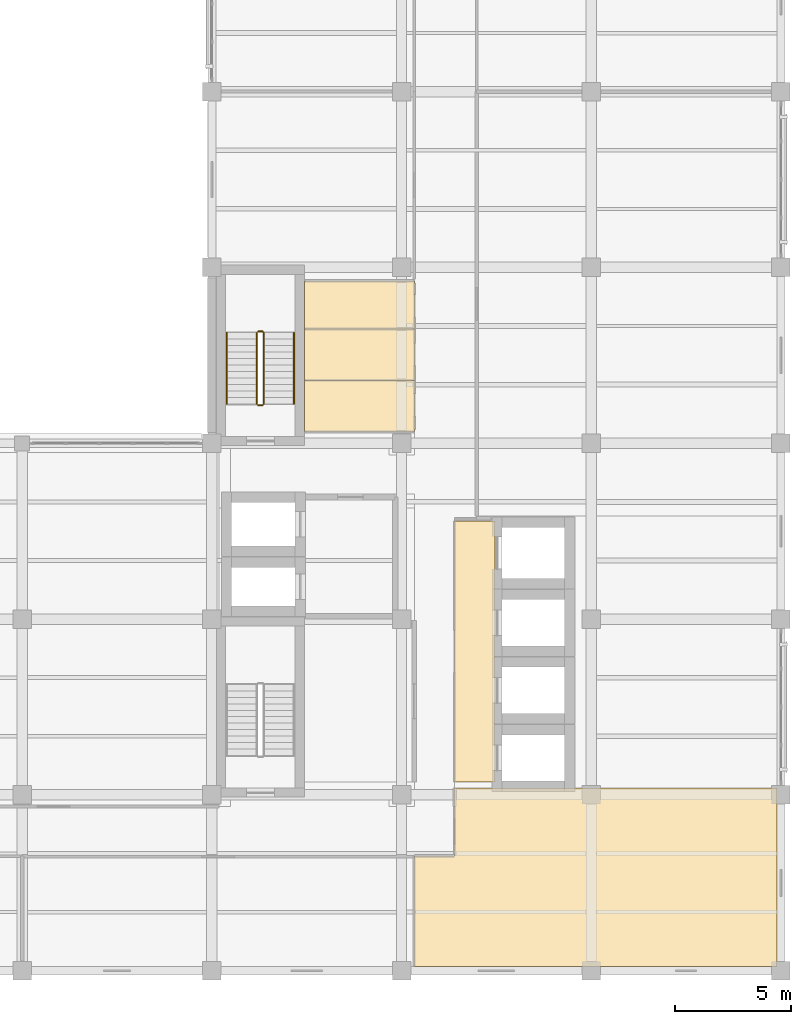
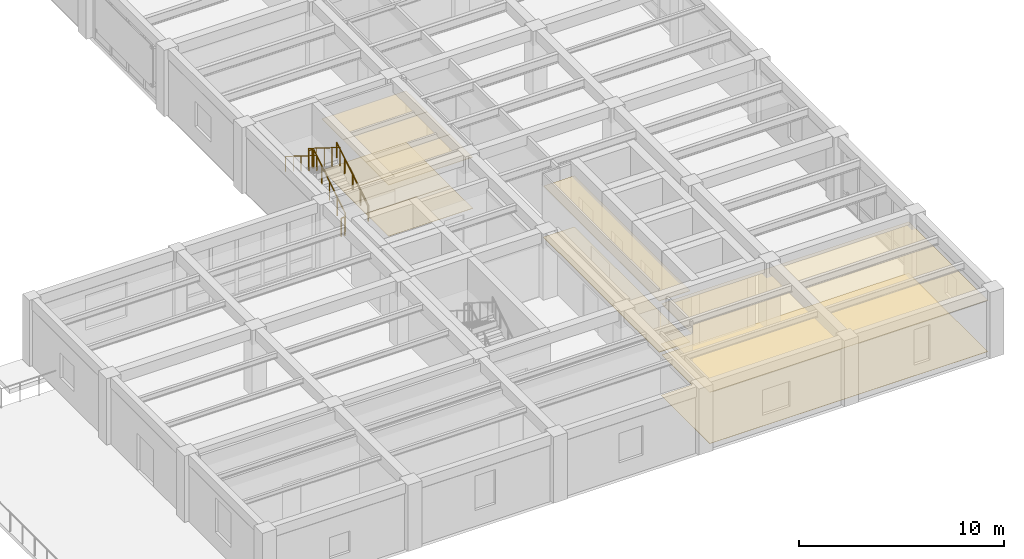
# One storey, part 13 of 14: 10 coverings, 6 railings.
"""IFC4 building model written with IfcOpenShell, lengths in metres."""

from ifc_helpers import new_model, si_unit, direction, frame, origin, origin_2d, place, context, subcontext, project, spatial, polyline, circle, outline, extrude, material, layer, layer_set, type_object, element, save


model = new_model("IFC4")

# Units and contexts
model_context = context("Model", 3, precision=1e-05, world=origin(), true_north=direction((0.0, 1.0)))
body_context = subcontext(model_context, "Body", "Model", "MODEL_VIEW")
ifc_project = project(units=[si_unit("LENGTHUNIT", "METRE"), si_unit("AREAUNIT", "SQUARE_METRE"), si_unit("VOLUMEUNIT", "CUBIC_METRE"), si_unit("PLANEANGLEUNIT", "RADIAN"), si_unit("MASSUNIT", "GRAM", prefix="KILO")], contexts=[model_context])

# Site, building, storey
site_placement = place(None, origin())
site = spatial("IfcSite", under=ifc_project, at=site_placement, CompositionType="ELEMENT")
building_placement = place(site_placement, origin())
building = spatial("IfcBuilding", under=site, at=building_placement, Name="Qandaris Square Conservatory and Botanical Centre", CompositionType="ELEMENT")
storey_placement = place(building_placement, frame((0.0, 0.0, 36.60009765625)))
storey = spatial("IfcBuildingStorey", under=building, at=storey_placement, Name="L08", CompositionType="ELEMENT", Elevation=36.60009765625)

# Coverings
ifc_material_1 = material(Name="Honed Qatari Limestone", Category="masonry")
ifc_layer_1 = layer(ifc_material_1, 0.030029296875)
ifc_layer_set_1 = layer_set([ifc_layer_1], Name="Honed Qatari Limestone")
covering_type_1 = type_object("IfcCoveringType", Name="Honed Qatari Limestone Concourse Paving", PredefinedType="FLOORING", material=ifc_layer_set_1)
covering_1_placement = place(storey_placement, origin())
element("IfcCovering", 1, at=covering_1_placement, inside=storey, type_object=covering_type_1, Name="Passenger Lift Lobby L08 Flooring", PredefinedType="FLOORING", context=body_context, shape_type="SweptSolid", body=[
    extrude(outline(polyline([(149.699951171875, 36.050048828125), (151.449951171875, 36.050048828125), (151.449951171875, 24.75), (149.699951171875, 24.75), (149.699951171875, 36.050048828125)])), origin(), (0.0, 0.0, 1.0), 0.02978515625),
])
ifc_material_2 = material(Name="Gypsum Plasterboard", Category="gypsum")
ifc_layer_2 = layer(ifc_material_2, 0.02490234375)
ifc_layer_set_2 = layer_set([ifc_layer_2], Name="Gypsum Plasterboard")
covering_type_2 = type_object("IfcCoveringType", Name="Perforated Acoustic Lab Ceiling Tile", PredefinedType="CEILING", material=ifc_layer_set_2)
covering_2_placement = place(storey_placement, frame((0.0, 0.0, 3.0498046875)))
element("IfcCovering", 2, at=covering_2_placement, inside=storey, type_object=covering_type_2, Name="Passenger Lift Lobby L08 Ceiling", PredefinedType="CEILING", context=body_context, shape_type="SweptSolid", body=[
    extrude(outline(polyline([(149.699951171875, 36.050048828125), (151.449951171875, 36.050048828125), (151.449951171875, 24.75), (149.699951171875, 24.75), (149.699951171875, 36.050048828125)])), origin(), (0.0, 0.0, 1.0), 0.025146484375),
])
covering_3_placement = place(storey_placement, frame((0.0, 0.0, 3.0498046875)))
element("IfcCovering", 3, at=covering_3_placement, inside=storey, type_object=covering_type_2, Name="Accessible Toilet L08 Ceiling", PredefinedType="CEILING", context=body_context, shape_type="SweptSolid", body=[
    extrude(outline(polyline([(147.949951171875, 42.1201171875), (147.949951171875, 39.89990234375), (143.199951171875, 39.89990234375), (143.199951171875, 42.1201171875), (147.949951171875, 42.1201171875)])), origin(), (0.0, 0.0, 1.0), 0.025146484375),
])
covering_4_placement = place(storey_placement, frame((0.0, 0.0, 3.0498046875)))
element("IfcCovering", 4, at=covering_4_placement, inside=storey, type_object=covering_type_2, Name="Staff Male Toilet L08 Ceiling", PredefinedType="CEILING", context=body_context, shape_type="SweptSolid", body=[
    extrude(outline(polyline([(147.949951171875, 44.340087890625), (147.949951171875, 42.1201171875), (143.199951171875, 42.1201171875), (143.199951171875, 44.340087890625), (147.949951171875, 44.340087890625)])), origin(), (0.0, 0.0, 1.0), 0.025146484375),
])
covering_5_placement = place(storey_placement, frame((0.0, 0.0, 3.0498046875)))
element("IfcCovering", 5, at=covering_5_placement, inside=storey, type_object=covering_type_2, Name="Staff Female Toilet L08 Ceiling", PredefinedType="CEILING", context=body_context, shape_type="SweptSolid", body=[
    extrude(outline(polyline([(147.949951171875, 46.419921875), (147.949951171875, 44.340087890625), (143.199951171875, 44.340087890625), (143.199951171875, 46.419921875), (147.949951171875, 46.419921875)])), origin(), (0.0, 0.0, 1.0), 0.025146484375),
])
covering_6_placement = place(storey_placement, frame((0.0, 0.0, 3.0498046875)))
element("IfcCovering", 6, at=covering_6_placement, inside=storey, type_object=covering_type_2, Name="Floor L08 Instrument and Balance Room Ceiling", PredefinedType="CEILING", context=body_context, shape_type="SweptSolid", body=[
    extrude(outline(polyline([(147.949951171875, 21.550048828125), (149.699951171875, 21.550048828125), (149.699951171875, 23.699951171875), (149.699951171875, 24.5), (163.6201171875, 24.5), (163.6201171875, 16.780029296875), (147.949951171875, 16.780029296875), (147.949951171875, 21.550048828125)])), origin(), (0.0, 0.0, 1.0), 0.025146484375),
])
ifc_material_3 = material(Name="Epoxy Resin Screed", Category="finish")
ifc_layer_3 = layer(ifc_material_3, 0.014892578125)
ifc_layer_set_3 = layer_set([ifc_layer_3], Name="Epoxy Resin Screed")
covering_type_3 = type_object("IfcCoveringType", Name="Seamless Epoxy Laboratory Flooring", PredefinedType="FLOORING", material=ifc_layer_set_3)
covering_7_placement = place(storey_placement, origin())
element("IfcCovering", 7, at=covering_7_placement, inside=storey, type_object=covering_type_3, Name="Accessible Toilet L08 Flooring", PredefinedType="FLOORING", context=body_context, shape_type="SweptSolid", body=[
    extrude(outline(polyline([(147.949951171875, 42.1201171875), (147.949951171875, 39.89990234375), (143.199951171875, 39.89990234375), (143.199951171875, 42.1201171875), (147.949951171875, 42.1201171875)])), origin(), (0.0, 0.0, 1.0), 0.014892578125),
])
covering_8_placement = place(storey_placement, origin())
element("IfcCovering", 8, at=covering_8_placement, inside=storey, type_object=covering_type_3, Name="Staff Male Toilet L08 Flooring", PredefinedType="FLOORING", context=body_context, shape_type="SweptSolid", body=[
    extrude(outline(polyline([(147.949951171875, 44.340087890625), (147.949951171875, 42.1201171875), (143.199951171875, 42.1201171875), (143.199951171875, 44.340087890625), (147.949951171875, 44.340087890625)])), origin(), (0.0, 0.0, 1.0), 0.014892578125),
])
covering_9_placement = place(storey_placement, origin())
element("IfcCovering", 9, at=covering_9_placement, inside=storey, type_object=covering_type_3, Name="Staff Female Toilet L08 Flooring", PredefinedType="FLOORING", context=body_context, shape_type="SweptSolid", body=[
    extrude(outline(polyline([(147.949951171875, 46.419921875), (147.949951171875, 44.340087890625), (143.199951171875, 44.340087890625), (143.199951171875, 46.419921875), (147.949951171875, 46.419921875)])), origin(), (0.0, 0.0, 1.0), 0.014892578125),
])
covering_10_placement = place(storey_placement, origin())
element("IfcCovering", 10, at=covering_10_placement, inside=storey, type_object=covering_type_3, Name="Floor L08 Instrument and Balance Room Flooring", PredefinedType="FLOORING", context=body_context, shape_type="SweptSolid", body=[
    extrude(outline(polyline([(147.949951171875, 21.550048828125), (149.699951171875, 21.550048828125), (149.699951171875, 23.699951171875), (149.699951171875, 24.5), (163.6201171875, 24.5), (163.6201171875, 16.780029296875), (147.949951171875, 16.780029296875), (147.949951171875, 21.550048828125)])), origin(), (0.0, 0.0, 1.0), 0.014892578125),
])

# Railings
ifc_material_4 = material(Name="Stainless Steel", Category="steel")
railing_type_1 = type_object("IfcRailingType", Name="Stair Tubular Handrail 920mm", PredefinedType="HANDRAIL", material=ifc_material_4)
railing_1_placement = place(storey_placement, frame((142.75, 41.10009765625, 0.349853515625)))
element("IfcRailing", 11, at=railing_1_placement, inside=storey, type_object=railing_type_1, Name="L08 ST-2 stair handrail 1", PredefinedType="HANDRAIL", context=body_context, shape_type="SweptSolid", body=[
    extrude(circle(Radius=0.02392578125, at=origin_2d()), frame((0.0, 0.0, 0.89599609375), z_axis=(0.0, 0.847979421464, 0.530029150871), x_axis=(-1.0, 0.0, 0.0)), (0.0, 0.0, 1.0), 3.632080078125),
    extrude(circle(Radius=0.02099609375, at=origin_2d()), origin(), (0.0, 0.0, 1.0), 0.871826171875),
    extrude(circle(Radius=0.02099609375, at=origin_2d()), frame((0.0, 0.77001953125, 0.481201171875)), (0.0, 0.0, 1.0), 0.871826171875),
    extrude(circle(Radius=0.02099609375, at=origin_2d()), frame((0.0, 1.5400390625, 0.96240234375)), (0.0, 0.0, 1.0), 0.871826171875),
    extrude(circle(Radius=0.02099609375, at=origin_2d()), frame((0.0, 2.309814453125, 1.44384765625)), (0.0, 0.0, 1.0), 0.871826171875),
    extrude(circle(Radius=0.02099609375, at=origin_2d()), frame((0.0, 3.079833984375, 1.925048828125)), (0.0, 0.0, 1.0), 0.871826171875),
])
railing_2_placement = place(storey_placement, frame((139.85009765625, 44.179931640625, 2.449951171875)))
element("IfcRailing", 12, at=railing_2_placement, inside=storey, type_object=railing_type_1, Name="L08 ST-2 stair handrail 2", PredefinedType="HANDRAIL", context=body_context, shape_type="SweptSolid", body=[
    extrude(circle(Radius=0.02392578125, at=origin_2d()), frame((0.0, 0.0, 0.89599609375), z_axis=(0.0, -0.847979421464, 0.530029150871), x_axis=(1.0, 0.0, 0.0)), (0.0, 0.0, 1.0), 3.632080078125),
    extrude(circle(Radius=0.02099609375, at=origin_2d()), origin(), (0.0, 0.0, 1.0), 0.871826171875),
    extrude(circle(Radius=0.02099609375, at=origin_2d()), frame((0.0, -0.77001953125, 0.481201171875)), (0.0, 0.0, 1.0), 0.871826171875),
    extrude(circle(Radius=0.02099609375, at=origin_2d()), frame((0.0, -1.5400390625, 0.96240234375)), (0.0, 0.0, 1.0), 0.871826171875),
    extrude(circle(Radius=0.02099609375, at=origin_2d()), frame((0.0, -2.309814453125, 1.44384765625)), (0.0, 0.0, 1.0), 0.871826171875),
    extrude(circle(Radius=0.02099609375, at=origin_2d()), frame((0.0, -3.079833984375, 1.925048828125)), (0.0, 0.0, 1.0), 0.871826171875),
])
railing_type_2 = type_object("IfcRailingType", Name="Stairwell & Atrium Guardrail 1120mm", PredefinedType="GUARDRAIL", material=ifc_material_4)
railing_3_placement = place(storey_placement, frame((141.449951171875, 41.10009765625, 0.1748046875)))
element("IfcRailing", 13, at=railing_3_placement, inside=storey, type_object=railing_type_2, Name="L08 ST-2 stair guard 1", PredefinedType="GUARDRAIL", context=body_context, shape_type="SweptSolid", body=[
    extrude(circle(Radius=0.02392578125, at=origin_2d()), frame((0.0, 0.0, 1.09619140625), z_axis=(0.0, 0.847979421464, 0.530029150871), x_axis=(-1.0, 0.0, 0.0)), (0.0, 0.0, 1.0), 3.632080078125),
    extrude(circle(Radius=0.02099609375, at=origin_2d()), origin(), (0.0, 0.0, 1.0), 1.072021484375),
    extrude(circle(Radius=0.02099609375, at=origin_2d()), frame((0.0, 0.77001953125, 0.481201171875)), (0.0, 0.0, 1.0), 1.072021484375),
    extrude(circle(Radius=0.02099609375, at=origin_2d()), frame((0.0, 1.5400390625, 0.96240234375)), (0.0, 0.0, 1.0), 1.072021484375),
    extrude(circle(Radius=0.02099609375, at=origin_2d()), frame((0.0, 2.309814453125, 1.44384765625)), (0.0, 0.0, 1.0), 1.072021484375),
    extrude(circle(Radius=0.02099609375, at=origin_2d()), frame((0.0, 3.079833984375, 1.925048828125)), (0.0, 0.0, 1.0), 1.072021484375),
])
railing_4_placement = place(storey_placement, frame((141.39990234375, 44.22998046875, 2.099853515625)))
element("IfcRailing", 14, at=railing_4_placement, inside=storey, type_object=railing_type_2, Name="L08 ST-2 stair guard 2", PredefinedType="GUARDRAIL", context=body_context, shape_type="SweptSolid", body=[
    extrude(circle(Radius=0.02392578125, at=origin_2d()), frame((0.0, 0.0, 1.09619140625), z_axis=(-1.0, 0.0, 0.0), x_axis=(0.0, -1.0, 0.0)), (0.0, 0.0, 1.0), 0.199951171875),
    extrude(circle(Radius=0.02099609375, at=origin_2d()), origin(), (0.0, 0.0, 1.0), 1.072021484375),
    extrude(circle(Radius=0.02099609375, at=origin_2d()), frame((-0.199951171875, 0.0, 0.0)), (0.0, 0.0, 1.0), 1.072021484375),
])
railing_5_placement = place(storey_placement, frame((141.14990234375, 44.179931640625, 2.27490234375)))
element("IfcRailing", 15, at=railing_5_placement, inside=storey, type_object=railing_type_2, Name="L08 ST-2 stair guard 3", PredefinedType="GUARDRAIL", context=body_context, shape_type="SweptSolid", body=[
    extrude(circle(Radius=0.02392578125, at=origin_2d()), frame((0.0, 0.0, 1.09619140625), z_axis=(0.0, -0.847979421464, 0.530029150871), x_axis=(1.0, 0.0, 0.0)), (0.0, 0.0, 1.0), 3.632080078125),
    extrude(circle(Radius=0.02099609375, at=origin_2d()), origin(), (0.0, 0.0, 1.0), 1.072021484375),
    extrude(circle(Radius=0.02099609375, at=origin_2d()), frame((0.0, -0.77001953125, 0.481201171875)), (0.0, 0.0, 1.0), 1.072021484375),
    extrude(circle(Radius=0.02099609375, at=origin_2d()), frame((0.0, -1.5400390625, 0.96240234375)), (0.0, 0.0, 1.0), 1.072021484375),
    extrude(circle(Radius=0.02099609375, at=origin_2d()), frame((0.0, -2.309814453125, 1.44384765625)), (0.0, 0.0, 1.0), 1.072021484375),
    extrude(circle(Radius=0.02099609375, at=origin_2d()), frame((0.0, -3.079833984375, 1.925048828125)), (0.0, 0.0, 1.0), 1.072021484375),
])
railing_6_placement = place(storey_placement, frame((141.39990234375, 41.050048828125, 0.0)))
element("IfcRailing", 16, at=railing_6_placement, inside=storey, type_object=railing_type_2, Name="L08 ST-2 stair guard 4", PredefinedType="GUARDRAIL", context=body_context, shape_type="SweptSolid", body=[
    extrude(circle(Radius=0.02392578125, at=origin_2d()), frame((0.0, 0.0, 1.09619140625), z_axis=(-1.0, 0.0, 0.0), x_axis=(0.0, -1.0, 0.0)), (0.0, 0.0, 1.0), 0.199951171875),
    extrude(circle(Radius=0.02099609375, at=origin_2d()), origin(), (0.0, 0.0, 1.0), 1.072021484375),
    extrude(circle(Radius=0.02099609375, at=origin_2d()), frame((-0.199951171875, 0.0, 0.0)), (0.0, 0.0, 1.0), 1.072021484375),
])

save(model, "model.ifc")
